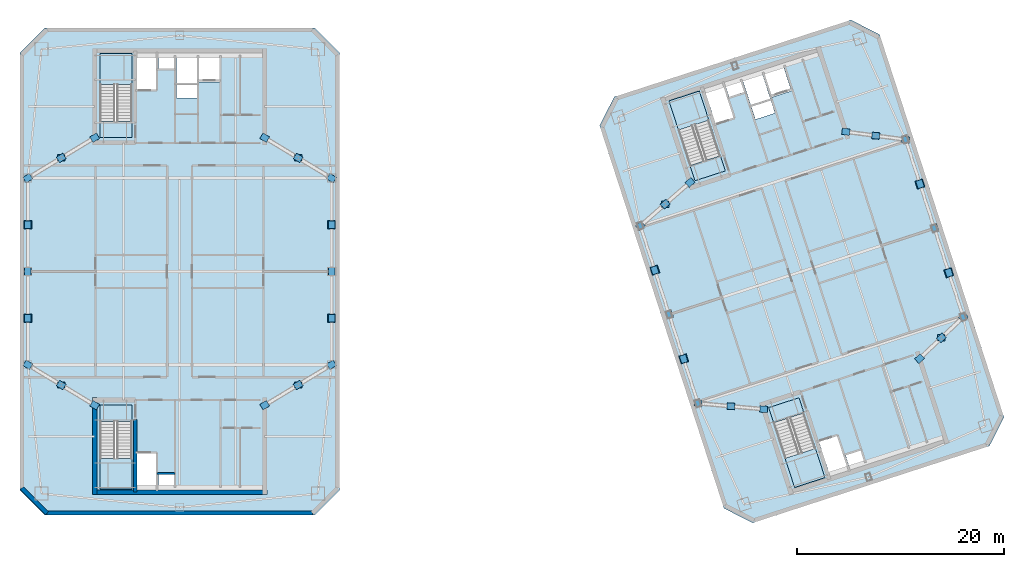
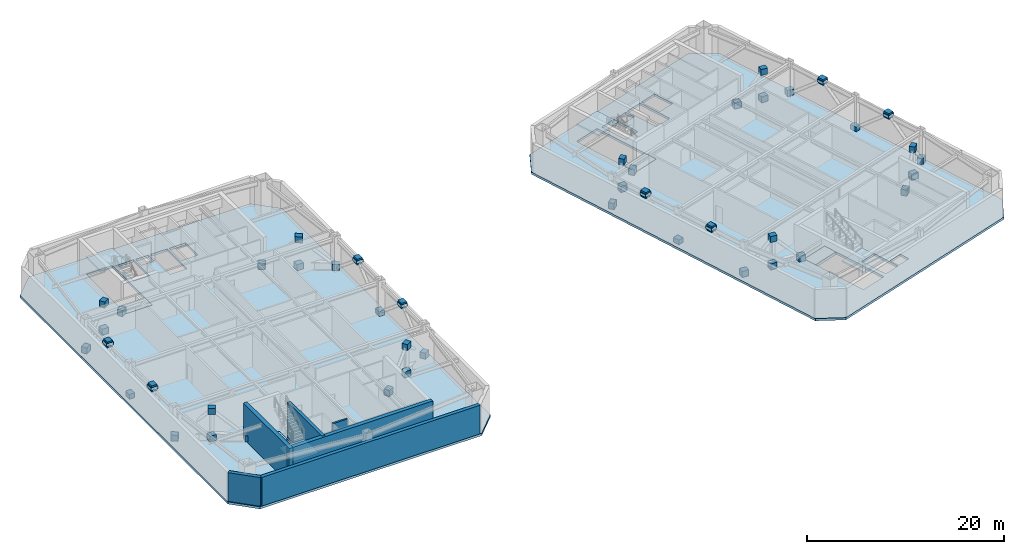
# One storey, part 9 of 17: 52 plates, 10 slabs, 6 walls, 4 elements without a shape of their own.
"""IFC4 building model written with IfcOpenShell, lengths in metres."""

from ifc_helpers import new_model, si_unit, direction, frame, frame_2d, origin, origin_2d, place, context, subcontext, project, spatial, polyline, rectangle, outline, extrude, material, layer, layer_set, type_object, element, aggregate, save


model = new_model("IFC4")

# Units and contexts
model_context = context("Model", 3, precision=1e-05, world=origin(), true_north=direction((0.0, 1.0)))
body_context = subcontext(model_context, "Body", "Model", "MODEL_VIEW")
ifc_project = project(units=[si_unit("LENGTHUNIT", "METRE"), si_unit("AREAUNIT", "SQUARE_METRE"), si_unit("VOLUMEUNIT", "CUBIC_METRE"), si_unit("PLANEANGLEUNIT", "RADIAN"), si_unit("MASSUNIT", "GRAM", prefix="KILO")], contexts=[model_context])

# Site, building, storey
site_placement = place(None, origin())
site = spatial("IfcSite", under=ifc_project, at=site_placement, CompositionType="ELEMENT")
building_placement = place(site_placement, origin())
building = spatial("IfcBuilding", under=site, at=building_placement, Name="Qiaolan Cultural Towers", CompositionType="ELEMENT")
storey_placement = place(building_placement, frame((0.0, 0.0, 230.0)))
storey = spatial("IfcBuildingStorey", under=building, at=storey_placement, Name="L62", CompositionType="ELEMENT", Elevation=230.0)

# Plates
ifc_material_1 = material(Name="Steel Q355B", Category="steel")
ifc_layer_1 = layer(ifc_material_1, 0.035888671875)
ifc_layer_set_1 = layer_set([ifc_layer_1], Name="Steel Q355B")
plate_type_1 = type_object("IfcPlateType", Name="PL-CONN-36", PredefinedType="USERDEFINED", material=ifc_layer_set_1)
for number, where, z_axis, x_axis, name in (
    (1, (21.800048828125, 21.10009765625, 0.1298828125), (0.0, 0.0, 1.0), (-0.855731979141, 0.517419346252, 0.0), "L62 Brace End Connection Gusset Plate GP-02-0780"),
    (2, (18.574951171875, 23.050048828125, 3.509765625), (0.0, 0.0, 1.0), (-0.855731979141, 0.517419346252, 0.0), "L62 Brace End Connection Gusset Plate GP-02-0781"),
    (3, (15.35009765625, 25.0, 0.1298828125), (0.0, 0.0, 1.0), (-0.855731979141, 0.517419346252, 0.0), "L62 Brace End Connection Gusset Plate GP-02-0782"),
    (4, (18.574951171875, 23.050048828125, 0.1298828125), (0.0, 0.0, 1.0), (1.0, 0.0, 0.0), "L62 Brace End Connection Gusset Plate GP-02-0783"),
    (5, (21.800048828125, 46.89990234375, 0.1298828125), (0.0, 0.0, 1.0), (0.855731979141, 0.517419346252, 0.0), "L62 Brace End Connection Gusset Plate GP-02-0784"),
    (6, (18.574951171875, 44.949951171875, 3.509765625), (0.0, 0.0, 1.0), (0.855731979141, 0.517419346252, 0.0), "L62 Brace End Connection Gusset Plate GP-02-0785"),
    (7, (15.35009765625, 43.0, 0.1298828125), (0.0, 0.0, 1.0), (0.855731979141, 0.517419346252, 0.0), "L62 Brace End Connection Gusset Plate GP-02-0786"),
    (8, (18.574951171875, 44.949951171875, 0.1298828125), (0.0, 0.0, 1.0), (1.0, 0.0, 0.0), "L62 Brace End Connection Gusset Plate GP-02-0787"),
    (9, (38.199951171875, 21.10009765625, 0.1298828125), (0.0, 0.0, 1.0), (0.855731979141, 0.517419346252, 0.0), "L62 Brace End Connection Gusset Plate GP-02-0788"),
    (10, (41.425048828125, 23.050048828125, 3.509765625), (0.0, 0.0, 1.0), (0.855731979141, 0.517419346252, 0.0), "L62 Brace End Connection Gusset Plate GP-02-0789"),
    (11, (44.64990234375, 25.0, 0.1298828125), (0.0, 0.0, 1.0), (0.855731979141, 0.517419346252, 0.0), "L62 Brace End Connection Gusset Plate GP-02-0790"),
    (12, (41.425048828125, 23.050048828125, 0.1298828125), (0.0, 0.0, 1.0), (1.0, 0.0, 0.0), "L62 Brace End Connection Gusset Plate GP-02-0791"),
    (13, (38.199951171875, 46.89990234375, 0.1298828125), (0.0, 0.0, 1.0), (-0.855731979141, 0.517419346252, 0.0), "L62 Brace End Connection Gusset Plate GP-02-0792"),
    (14, (41.425048828125, 44.949951171875, 3.509765625), (0.0, 0.0, 1.0), (-0.855731979141, 0.517419346252, 0.0), "L62 Brace End Connection Gusset Plate GP-02-0793"),
    (15, (44.64990234375, 43.0, 0.1298828125), (0.0, 0.0, 1.0), (-0.855731979141, 0.517419346252, 0.0), "L62 Brace End Connection Gusset Plate GP-02-0794"),
    (16, (41.425048828125, 44.949951171875, 0.1298828125), (0.0, 0.0, 1.0), (1.0, 0.0, 0.0), "L62 Brace End Connection Gusset Plate GP-02-0795"),
    (17, (15.35009765625, 29.5, 3.60986328125), (0.0, 0.0, 1.0), (0.0, 1.0, 0.0), "L62 Brace End Connection Gusset Plate GP-02-0796"),
    (18, (15.35009765625, 34.0, -0.169921875), (0.0, 0.0, 1.0), (0.0, 1.0, 0.0), "L62 Brace End Connection Gusset Plate GP-02-0797"),
    (19, (15.35009765625, 38.5, 3.60986328125), (0.0, 0.0, 1.0), (0.0, 1.0, 0.0), "L62 Brace End Connection Gusset Plate GP-02-0798"),
    (20, (44.64990234375, 29.5, 3.60986328125), (0.0, 0.0, 1.0), (0.0, 1.0, 0.0), "L62 Brace End Connection Gusset Plate GP-02-0799"),
    (21, (44.64990234375, 34.0, -0.169921875), (0.0, 0.0, 1.0), (0.0, 1.0, 0.0), "L62 Brace End Connection Gusset Plate GP-02-0800"),
    (22, (44.64990234375, 38.5, 3.60986328125), (0.0, 0.0, 1.0), (0.0, 1.0, 0.0), "L62 Brace End Connection Gusset Plate GP-02-0801"),
    (23, (86.32568359375, 20.71435546875, 0.1298828125), (0.0, 0.0, 1.0), (-0.995979602388, 0.089580308257, 0.0), "L62 Brace End Connection Gusset Plate GP-02-0802"),
    (24, (83.157470703125, 20.999267578125, 3.509765625), (0.0, 0.0, 1.0), (-0.995979602388, 0.089580308257, 0.0), "L62 Brace End Connection Gusset Plate GP-02-0803"),
    (25, (79.989501953125, 21.2841796875, 0.1298828125), (0.0, 0.0, 1.0), (-0.995979602388, 0.089580308257, 0.0), "L62 Brace End Connection Gusset Plate GP-02-0804"),
    (26, (83.157470703125, 20.999267578125, 0.1298828125), (0.0, 0.0, 1.0), (1.0, 0.0, 0.0), "L62 Brace End Connection Gusset Plate GP-02-0805"),
    (27, (79.21826171875, 42.588623046875, 0.1298828125), (0.0, 0.0, 1.0), (0.753110417329, 0.657894139897, 0.0), "L62 Brace End Connection Gusset Plate GP-02-0806"),
    (28, (76.82275390625, 40.495849609375, 3.509765625), (0.0, 0.0, 1.0), (0.753110417329, 0.657894139897, 0.0), "L62 Brace End Connection Gusset Plate GP-02-0807"),
    (29, (74.42724609375, 38.4033203125, 0.1298828125), (0.0, 0.0, 1.0), (0.753110417329, 0.657894139897, 0.0), "L62 Brace End Connection Gusset Plate GP-02-0808"),
    (30, (76.82275390625, 40.495849609375, 0.1298828125), (0.0, 0.0, 1.0), (1.0, 0.0, 0.0), "L62 Brace End Connection Gusset Plate GP-02-0809"),
    (31, (101.352294921875, 25.5966796875, 0.1298828125), (0.0, 0.0, 1.0), (0.725814537652, 0.687890439629, 0.0), "L62 Brace End Connection Gusset Plate GP-02-0810"),
    (32, (103.462646484375, 27.5966796875, 3.509765625), (0.0, 0.0, 1.0), (0.725814537652, 0.687890439629, 0.0), "L62 Brace End Connection Gusset Plate GP-02-0811"),
    (33, (105.57275390625, 29.5966796875, 0.1298828125), (0.0, 0.0, 1.0), (0.725814537652, 0.687890439629, 0.0), "L62 Brace End Connection Gusset Plate GP-02-0812"),
    (34, (103.462646484375, 27.5966796875, 0.1298828125), (0.0, 0.0, 1.0), (1.0, 0.0, 0.0), "L62 Brace End Connection Gusset Plate GP-02-0813"),
    (35, (94.244873046875, 47.47119140625, 0.1298828125), (0.0, 0.0, 1.0), (-0.991528162667, 0.129891888269, 0.0), "L62 Brace End Connection Gusset Plate GP-02-0814"),
    (36, (97.127685546875, 47.093505859375, 3.509765625), (0.0, 0.0, 1.0), (-0.991528162667, 0.129891888269, 0.0), "L62 Brace End Connection Gusset Plate GP-02-0815"),
    (37, (100.010498046875, 46.7158203125, 0.1298828125), (0.0, 0.0, 1.0), (-0.991528162667, 0.129891888269, 0.0), "L62 Brace End Connection Gusset Plate GP-02-0816"),
    (38, (97.127685546875, 47.093505859375, 0.1298828125), (0.0, 0.0, 1.0), (1.0, 0.0, 0.0), "L62 Brace End Connection Gusset Plate GP-02-0817"),
    (39, (78.598876953125, 25.56396484375, 3.60986328125), (0.0, 0.0, 1.0), (-0.309017027573, 0.951056505508, 0.0), "L62 Brace End Connection Gusset Plate GP-02-0818"),
    (40, (77.208251953125, 29.84375, -0.169921875), (0.0, 0.0, 1.0), (-0.309017027573, 0.951056505508, 0.0), "L62 Brace End Connection Gusset Plate GP-02-0819"),
    (41, (75.817626953125, 34.12353515625, 3.60986328125), (0.0, 0.0, 1.0), (-0.309016994375, 0.951056516295, 0.0), "L62 Brace End Connection Gusset Plate GP-02-0820"),
    (42, (104.182373046875, 33.87646484375, 3.60986328125), (0.0, 0.0, 1.0), (-0.309016994375, 0.951056516295, 0.0), "L62 Brace End Connection Gusset Plate GP-02-0821"),
    (43, (102.791748046875, 38.15625, -0.169921875), (0.0, 0.0, 1.0), (-0.309016994375, 0.951056516295, 0.0), "L62 Brace End Connection Gusset Plate GP-02-0822"),
    (44, (101.401123046875, 42.43603515625, 3.60986328125), (0.0, 0.0, 1.0), (-0.309017027573, 0.951056505508, 0.0), "L62 Brace End Connection Gusset Plate GP-02-0823"),
):
    element("IfcPlate", number, at=place(storey_placement, frame(where, z_axis=z_axis, x_axis=x_axis)), inside=storey, type_object=plate_type_1, Name=name, ObjectType="GUSSET_PLATE", PredefinedType="USERDEFINED", context=body_context, shape_type="SweptSolid", body=[
        extrude(rectangle(XDim=0.739990234375, YDim=0.6201171875, at=origin_2d()), origin(), (0.0, 0.0, 1.0), 0.739990234375),
    ])
ifc_material_2 = material(Name="Steel Q355B", Category="steel")
ifc_layer_2 = layer(ifc_material_2, 0.030029296875)
ifc_layer_set_2 = layer_set([ifc_layer_2], Name="Steel Q355B")
plate_type_2 = type_object("IfcPlateType", Name="PL-ENDCAP-30", PredefinedType="USERDEFINED", material=ifc_layer_set_2)
for number, where, z_axis, x_axis, name in (
    (45, (15.35009765625, 29.5, 3.804931640625), (0.0, 0.0, 1.0), (1.0, 0.0, 0.0), "Belt Truss Apex Seal Plate CP-01"),
    (46, (15.35009765625, 38.5, 3.804931640625), (0.0, 0.0, 1.0), (1.0, 0.0, 0.0), "Belt Truss Apex Seal Plate CP-01"),
    (47, (44.64990234375, 29.5, 3.804931640625), (0.0, 0.0, 1.0), (1.0, 0.0, 0.0), "Belt Truss Apex Seal Plate CP-01"),
    (48, (44.64990234375, 38.5, 3.804931640625), (0.0, 0.0, 1.0), (1.0, 0.0, 0.0), "Belt Truss Apex Seal Plate CP-01"),
    (49, (78.598876953125, 25.56396484375, 3.804931640625), (0.0, 0.0, 1.0), (0.951056516295, 0.309016994375, 0.0), "Belt Truss Apex Seal Plate CP-01"),
    (50, (75.817626953125, 34.12353515625, 3.804931640625), (0.0, 0.0, 1.0), (0.951056516295, 0.309016994375, 0.0), "Belt Truss Apex Seal Plate CP-01"),
    (51, (104.182373046875, 33.87646484375, 3.804931640625), (0.0, 0.0, 1.0), (0.951056516295, 0.309016994375, 0.0), "Belt Truss Apex Seal Plate CP-01"),
    (52, (101.401123046875, 42.43603515625, 3.804931640625), (0.0, 0.0, 1.0), (0.951056516295, 0.309016994375, 0.0), "Belt Truss Apex Seal Plate CP-01"),
):
    element("IfcPlate", number, at=place(storey_placement, frame(where, z_axis=z_axis, x_axis=x_axis)), inside=storey, type_object=plate_type_2, Name=name, ObjectType="BASE_PLATE", PredefinedType="USERDEFINED", context=body_context, shape_type="SweptSolid", body=[
        extrude(rectangle(XDim=0.800048828125, YDim=0.800048828125, at=origin_2d()), origin(), (0.0, 0.0, 1.0), 0.35009765625),
    ])

# Slabs
ifc_material_3 = material(Name="Concrete C50", Category="concrete")
ifc_layer_3 = layer(ifc_material_3, 0.280029296875)
ifc_layer_set_3 = layer_set([ifc_layer_3], Name="Concrete C50")
slab_type_1 = type_object("IfcSlabType", Name="SL-REF-280", PredefinedType="FLOOR", material=ifc_layer_set_3)
slab_1_placement = place(storey_placement, frame((0.0, 0.0, -0.280029296875)))
element("IfcSlab", 53, at=slab_1_placement, inside=storey, type_object=slab_type_1, Name="L62 West Tower Floor Slab", PredefinedType="FLOOR", context=body_context, shape_type="SweptSolid", body=[
    extrude(outline(polyline([(17.0, 10.5), (43.0, 10.5), (45.39990234375, 12.89990234375), (45.39990234375, 55.10009765625), (43.0, 57.5), (17.0, 57.5), (14.60009765625, 55.10009765625), (14.60009765625, 12.89990234375), (17.0, 10.5)]), holes=[polyline([(22.300048828125, 21.10009765625), (22.300048828125, 13.0), (25.3798828125, 13.0), (25.3798828125, 21.10009765625), (22.300048828125, 21.10009765625)]), polyline([(25.3798828125, 46.89990234375), (25.3798828125, 55.0), (22.300048828125, 55.0), (22.300048828125, 46.89990234375), (25.3798828125, 46.89990234375)]), polyline([(25.89990234375, 13.199951171875), (27.75, 13.199951171875), (27.75, 16.449951171875), (25.89990234375, 16.449951171875), (25.89990234375, 13.199951171875)]), polyline([(27.93994140625, 13.25), (29.449951171875, 13.25), (29.449951171875, 14.419921875), (27.93994140625, 14.419921875), (27.93994140625, 13.25)]), polyline([(25.89990234375, 51.550048828125), (27.75, 51.550048828125), (27.75, 54.800048828125), (25.89990234375, 54.800048828125), (25.89990234375, 51.550048828125)]), polyline([(27.93994140625, 53.580078125), (29.449951171875, 53.580078125), (29.449951171875, 54.75), (27.93994140625, 54.75), (27.93994140625, 53.580078125)]), polyline([(31.8798828125, 52.27001953125), (33.820068359375, 52.27001953125), (33.820068359375, 54.75), (31.8798828125, 54.75), (31.8798828125, 52.27001953125)]), polyline([(29.679931640625, 50.719970703125), (31.659912109375, 50.719970703125), (31.659912109375, 54.75), (29.679931640625, 54.75), (29.679931640625, 50.719970703125)])]), origin(), (0.0, 0.0, 1.0), 0.280029296875),
])
slab_2_placement = place(storey_placement, frame((0.0, 0.0, -0.280029296875)))
element("IfcSlab", 54, at=slab_2_placement, inside=storey, type_object=slab_type_1, Name="L62 East Tower Floor Slab", PredefinedType="FLOOR", context=body_context, shape_type="SweptSolid", body=[
    extrude(outline(polyline([(85.26220703125, 9.7490234375), (108.08740234375, 17.165283203125), (109.5, 19.9375), (97.510009765625, 56.838623046875), (94.73779296875, 58.2509765625), (71.91259765625, 50.834716796875), (70.5, 48.0625), (82.489990234375, 11.161376953125), (85.26220703125, 9.7490234375)]), holes=[polyline([(86.80126953125, 20.868896484375), (89.30419921875, 13.165283203125), (92.2333984375, 14.116943359375), (89.73046875, 21.820556640625), (86.80126953125, 20.868896484375)]), polyline([(82.623046875, 43.69482421875), (80.1201171875, 51.3984375), (77.190673828125, 50.44677734375), (79.69384765625, 42.7431640625), (82.623046875, 43.69482421875)]), polyline([(92.666259765625, 14.468017578125), (94.42578125, 15.03955078125), (93.42138671875, 18.130615234375), (91.661865234375, 17.558837890625), (92.666259765625, 14.468017578125)]), polyline([(94.5908203125, 15.14599609375), (96.027099609375, 15.612548828125), (95.66552734375, 16.725341796875), (94.2294921875, 16.258544921875), (94.5908203125, 15.14599609375)]), polyline([(81.6806640625, 48.278076171875), (83.440185546875, 48.849609375), (82.435791015625, 51.940673828125), (80.67626953125, 51.368896484375), (81.6806640625, 48.278076171875)]), polyline([(82.993408203125, 50.839111328125), (84.4296875, 51.3056640625), (84.068115234375, 52.41845703125), (82.632080078125, 51.95166015625), (82.993408203125, 50.839111328125)]), polyline([(87.1455078125, 50.810791015625), (88.990478515625, 51.41015625), (88.22412109375, 53.768798828125), (86.379150390625, 53.169189453125), (87.1455078125, 50.810791015625)]), polyline([(85.5322265625, 48.65673828125), (87.415283203125, 49.2685546875), (86.169921875, 53.101318359375), (84.286865234375, 52.489501953125), (85.5322265625, 48.65673828125)])]), origin(), (0.0, 0.0, 1.0), 0.280029296875),
])

# Stair, slab
ifc_material_4 = material(Name="Concrete C45", Category="concrete")
stair_type = type_object("IfcStairType", Name="STR-CORE-1500", PredefinedType="HALF_TURN_STAIR", material=ifc_material_4)
stair_1_placement = place(storey_placement, origin())
stair_1 = element("IfcStair", 55, at=stair_1_placement, inside=storey, type_object=stair_type, Name="L62 Smokeproof Exit Stair ST-W1", PredefinedType="HALF_TURN_STAIR")
ifc_material_5 = material(Name="Concrete C45", Category="concrete")
ifc_layer_4 = layer(ifc_material_5, 0.199951171875)
ifc_layer_set_4 = layer_set([ifc_layer_4], Name="Concrete C45")
slab_type_2 = type_object("IfcSlabType", Name="SL-STAIR-LAND", PredefinedType="LANDING", material=ifc_layer_set_4)
slab_3_placement = place(storey_placement, frame((0.0, 0.0, 2.0)))
slab_3 = element("IfcSlab", 56, at=slab_3_placement, type_object=slab_type_2, Name="ST-W1 landing 1", PredefinedType="LANDING", context=body_context, shape_type="SweptSolid", body=[
    extrude(outline(polyline([(22.300048828125, 15.951416015625), (22.300048828125, 13.0), (25.3798828125, 13.0), (25.3798828125, 15.951416015625), (22.300048828125, 15.951416015625)])), origin(), (0.0, 0.0, 1.0), 0.199951171875),
])
aggregate(stair_1, [slab_3])

stair_2_placement = place(storey_placement, origin())
stair_2 = element("IfcStair", 57, at=stair_2_placement, inside=storey, type_object=stair_type, Name="L62 Smokeproof Exit Stair ST-W2", PredefinedType="HALF_TURN_STAIR")
slab_4_placement = place(storey_placement, frame((0.0, 0.0, 2.0)))
slab_4 = element("IfcSlab", 58, at=slab_4_placement, type_object=slab_type_2, Name="ST-W2 landing 1", PredefinedType="LANDING", context=body_context, shape_type="SweptSolid", body=[
    extrude(outline(polyline([(25.3798828125, 52.048583984375), (25.3798828125, 55.0), (22.300048828125, 55.0), (22.300048828125, 52.048583984375), (25.3798828125, 52.048583984375)])), origin(), (0.0, 0.0, 1.0), 0.199951171875),
])
aggregate(stair_2, [slab_4])

stair_3_placement = place(storey_placement, origin())
stair_3 = element("IfcStair", 59, at=stair_3_placement, inside=storey, type_object=stair_type, Name="L62 Smokeproof Exit Stair ST-E1", PredefinedType="HALF_TURN_STAIR")
slab_5_placement = place(storey_placement, frame((0.0, 0.0, 2.0)))
slab_5 = element("IfcSlab", 60, at=slab_5_placement, type_object=slab_type_2, Name="ST-E1 landing 1", PredefinedType="LANDING", context=body_context, shape_type="SweptSolid", body=[
    extrude(outline(polyline([(88.392333984375, 15.97216796875), (89.30419921875, 13.165283203125), (92.2333984375, 14.116943359375), (91.321533203125, 16.923828125), (88.392333984375, 15.97216796875)])), origin(), (0.0, 0.0, 1.0), 0.199951171875),
])
aggregate(stair_3, [slab_5])

stair_4_placement = place(storey_placement, origin())
stair_4 = element("IfcStair", 61, at=stair_4_placement, inside=storey, type_object=stair_type, Name="L62 Smokeproof Exit Stair ST-E2", PredefinedType="HALF_TURN_STAIR")
slab_6_placement = place(storey_placement, frame((0.0, 0.0, 2.0)))
slab_6 = element("IfcSlab", 62, at=slab_6_placement, type_object=slab_type_2, Name="ST-E2 landing 1", PredefinedType="LANDING", context=body_context, shape_type="SweptSolid", body=[
    extrude(outline(polyline([(81.031982421875, 48.591552734375), (80.1201171875, 51.3984375), (77.190673828125, 50.44677734375), (78.102783203125, 47.639892578125), (81.031982421875, 48.591552734375)])), origin(), (0.0, 0.0, 1.0), 0.199951171875),
])
aggregate(stair_4, [slab_6])

# Slabs
ifc_material_6 = material(Name="Concrete C40", Category="concrete")
ifc_layer_5 = layer(ifc_material_6, 0.360107421875)
ifc_layer_set_5 = layer_set([ifc_layer_5], Name="Concrete C40")
slab_type_3 = type_object("IfcSlabType", Name="SL-STFLR-360", PredefinedType="LANDING", material=ifc_layer_set_5)
slab_7_placement = place(storey_placement, frame((0.0, 0.0, -0.360107421875)))
element("IfcSlab", 63, at=slab_7_placement, inside=storey, type_object=slab_type_3, Name="L62 ST-W1 Stair Floor Landing Slab", PredefinedType="LANDING", context=body_context, shape_type="SweptSolid", body=[
    extrude(outline(polyline([(22.302001953125, 21.097900390625), (22.302001953125, 19.548583984375), (25.3779296875, 19.548583984375), (25.3779296875, 21.097900390625), (22.302001953125, 21.097900390625)])), origin(), (0.0, 0.0, 1.0), 0.360107421875),
])
slab_8_placement = place(storey_placement, frame((0.0, 0.0, -0.360107421875)))
element("IfcSlab", 64, at=slab_8_placement, inside=storey, type_object=slab_type_3, Name="L62 ST-W2 Stair Floor Landing Slab", PredefinedType="LANDING", context=body_context, shape_type="SweptSolid", body=[
    extrude(outline(polyline([(25.3779296875, 46.902099609375), (25.3779296875, 48.451416015625), (22.302001953125, 48.451416015625), (22.302001953125, 46.902099609375), (25.3779296875, 46.902099609375)])), origin(), (0.0, 0.0, 1.0), 0.360107421875),
])
slab_9_placement = place(storey_placement, frame((0.0, 0.0, -0.360107421875)))
element("IfcSlab", 65, at=slab_9_placement, inside=storey, type_object=slab_type_3, Name="L62 ST-E1 Stair Floor Landing Slab", PredefinedType="LANDING", context=body_context, shape_type="SweptSolid", body=[
    extrude(outline(polyline([(86.8037109375, 20.867431640625), (87.282470703125, 19.39404296875), (90.2080078125, 20.3447265625), (89.729248046875, 21.818115234375), (86.8037109375, 20.867431640625)])), origin(), (0.0, 0.0, 1.0), 0.360107421875),
])
slab_10_placement = place(storey_placement, frame((0.0, 0.0, -0.360107421875)))
element("IfcSlab", 66, at=slab_10_placement, inside=storey, type_object=slab_type_3, Name="L62 ST-E2 Stair Floor Landing Slab", PredefinedType="LANDING", context=body_context, shape_type="SweptSolid", body=[
    extrude(outline(polyline([(82.62060546875, 43.6962890625), (82.141845703125, 45.169677734375), (79.21630859375, 44.21923828125), (79.695068359375, 42.74560546875), (82.62060546875, 43.6962890625)])), origin(), (0.0, 0.0, 1.0), 0.360107421875),
])

# Walls
ifc_material_7 = material(Name="Concrete C50", Category="concrete")
ifc_layer_6 = layer(ifc_material_7, 0.35009765625)
ifc_layer_set_6 = layer_set([ifc_layer_6], Name="Concrete C50")
wall_type_1 = type_object("IfcWallType", Name="WL-CORE-350", PredefinedType="SHEAR", material=ifc_layer_set_6)
wall_1_placement = place(storey_placement, frame((25.719970703125, 19.699951171875, 0.0), z_axis=(0.0, 0.0, 1.0), x_axis=(0.0, -1.0, 0.0)))
element("IfcWall", 67, at=wall_1_placement, inside=storey, type_object=wall_type_1, Name="L62 T1-CS Stair Core Dividing Web", PredefinedType="SHEAR", context=body_context, shape_type="SweptSolid", body=[
    extrude(rectangle(XDim=6.97998046875, YDim=0.35009765625, at=frame_2d((3.489990234375, 0.0))), origin(), (0.0, 0.0, 1.0), 4.39990234375),
])
ifc_material_8 = material(Name="Concrete C50", Category="concrete")
ifc_layer_7 = layer(ifc_material_8, 0.449951171875)
ifc_layer_set_7 = layer_set([ifc_layer_7], Name="Concrete C50")
wall_type_2 = type_object("IfcWallType", Name="WL-CORE-450", PredefinedType="SHEAR", material=ifc_layer_set_7)
wall_2_placement = place(storey_placement, frame((21.574951171875, 12.719970703125, 0.0), z_axis=(0.0, 0.0, 1.0), x_axis=(1.0, 0.0, 0.0)))
element("IfcWall", 68, at=wall_2_placement, inside=storey, type_object=wall_type_2, Name="L62 T1-CS Outer Core Shear Wall", PredefinedType="SHEAR", context=body_context, shape_type="SweptSolid", body=[
    extrude(rectangle(XDim=16.85009765625, YDim=0.449951171875, at=frame_2d((8.425048828125, 0.0))), origin(), (0.0, 0.0, 1.0), 4.39990234375),
])
wall_3_placement = place(storey_placement, frame((21.800048828125, 21.824951171875, 0.0), z_axis=(0.0, 0.0, 1.0), x_axis=(0.0, -1.0, 0.0)))
element("IfcWall", 69, at=wall_3_placement, inside=storey, type_object=wall_type_2, Name="L62 T1-CS West Core Shear Wall", PredefinedType="SHEAR", context=body_context, shape_type="SweptSolid", body=[
    extrude(rectangle(XDim=9.329833984375, YDim=0.449951171875, at=frame_2d((4.6650390625, 0.0))), origin(), (0.0, 0.0, 1.0), 4.39990234375),
])
ifc_material_9 = material(Name="Precast Concrete C50 Honed Stone Pier", Category="masonry")
ifc_layer_8 = layer(ifc_material_9, 0.39990234375)
ifc_layer_set_8 = layer_set([ifc_layer_8], Name="Precast Concrete C50 Honed Stone Pier")
wall_type_3 = type_object("IfcWallType", Name="WL-EXT-PIER-400", PredefinedType="SOLIDWALL", material=ifc_layer_set_8)
wall_4_placement = place(storey_placement, frame((42.800048828125, 10.699951171875, 0.0), z_axis=(0.0, 0.0, 1.0), x_axis=(-1.0, 0.0, 0.0)))
element("IfcWall", 70, at=wall_4_placement, inside=storey, type_object=wall_type_3, Name="L62 West Tower Precast Pier Facade Wall F7", PredefinedType="SOLIDWALL", context=body_context, shape_type="SweptSolid", body=[
    extrude(rectangle(XDim=25.60009765625, YDim=0.39990234375, at=frame_2d((12.800048828125, 0.0))), origin(), (0.0, 0.0, 1.0), 3.56005859375),
])
wall_5_placement = place(storey_placement, frame((17.199951171875, 10.699951171875, 0.0), z_axis=(0.0, 0.0, 1.0), x_axis=(-0.707070815327, 0.707142745217, 0.0)))
element("IfcWall", 71, at=wall_5_placement, inside=storey, type_object=wall_type_3, Name="L62 West Tower Precast Pier Facade Wall F8", PredefinedType="SOLIDWALL", context=body_context, shape_type="SweptSolid", body=[
    extrude(rectangle(XDim=3.39404296875, YDim=0.39990234375, at=frame_2d((1.697021484375, 0.0))), origin(), (0.0, 0.0, 1.0), 3.56005859375),
])
ifc_material_10 = material(Name="Concrete C35 Fire Wall", Category="concrete")
ifc_layer_9 = layer(ifc_material_10, 0.199951171875)
ifc_layer_set_9 = layer_set([ifc_layer_9], Name="Concrete C35 Fire Wall")
wall_type_4 = type_object("IfcWallType", Name="WL-FIRE-200", PredefinedType="PARTITIONING", material=ifc_layer_set_9)
wall_6_placement = place(storey_placement, frame((27.820068359375, 14.52001953125, 0.0), z_axis=(0.0, 0.0, 1.0), x_axis=(1.0, 0.0, 0.0)))
element("IfcWall", 72, at=wall_6_placement, inside=storey, type_object=wall_type_4, Name="L62 T1-CS Pressurization Shaft Front Wall", PredefinedType="PARTITIONING", context=body_context, shape_type="SweptSolid", body=[
    extrude(rectangle(XDim=1.72998046875, YDim=0.199951171875, at=frame_2d((0.864990234375, 0.0))), origin(), (0.0, 0.0, 1.0), 4.125),
])

save(model, "model.ifc")
